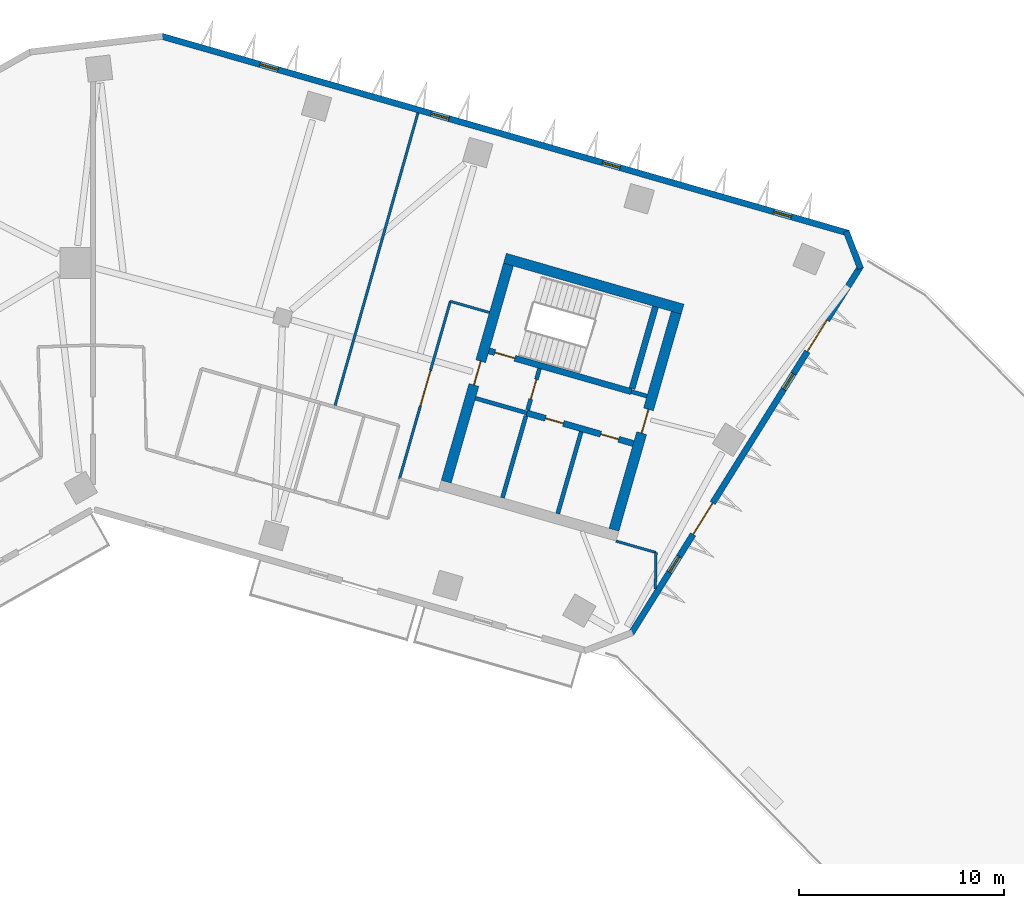
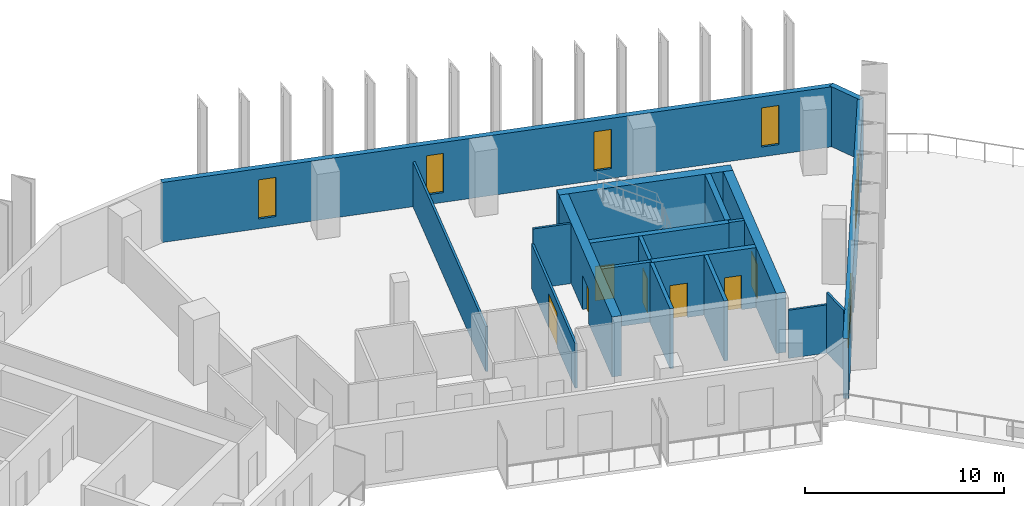
# One storey, part 6 of 12: 19 walls, 9 doors, 6 windows, 15 openings.
"""IFC4 building model written with IfcOpenShell, lengths in metres."""

from ifc_helpers import new_model, si_unit, direction, frame, frame_2d, origin, place, context, subcontext, project, spatial, rectangle, extrude, material, layer, layer_set, type_object, element, fill, save


model = new_model("IFC4")

# Units and contexts
model_context = context("Model", 3, precision=1e-05, world=origin(), true_north=direction((0.0, 1.0)))
body_context = subcontext(model_context, "Body", "Model", "MODEL_VIEW")
ifc_project = project(units=[si_unit("LENGTHUNIT", "METRE"), si_unit("AREAUNIT", "SQUARE_METRE"), si_unit("VOLUMEUNIT", "CUBIC_METRE"), si_unit("PLANEANGLEUNIT", "RADIAN"), si_unit("MASSUNIT", "GRAM", prefix="KILO")], contexts=[model_context])

# Site, building, storey
site_placement = place(None, origin())
site = spatial("IfcSite", under=ifc_project, at=site_placement, CompositionType="ELEMENT")
building_placement = place(site_placement, origin())
building = spatial("IfcBuilding", under=site, at=building_placement, Name="Binnacle Exchange Tower", CompositionType="ELEMENT")
storey_placement = place(building_placement, frame((0.0, 0.0, 154.89990234375)))
storey = spatial("IfcBuildingStorey", under=building, at=storey_placement, Name="L32", CompositionType="ELEMENT", Elevation=154.89990234375)

# Wall
ifc_material_1 = material(Name="Gypsum partition fire rated")
ifc_layer_1 = layer(ifc_material_1, 0.199951171875)
ifc_layer_set_1 = layer_set([ifc_layer_1], Name="Core partition 200")
wall_type_1 = type_object("IfcWallType", Name="Core partition 200", PredefinedType="PARTITIONING", material=ifc_layer_set_1)
wall_1_placement = place(storey_placement, frame((22.63720703125, 47.787353515625, 0.0), z_axis=(0.0, 0.0, 1.0), x_axis=(0.275614546295, 0.961268236171, 0.0)))
element("IfcWall", 1, at=wall_1_placement, inside=storey, type_object=wall_type_1, Name="Core wall CRWD10", PredefinedType="PARTITIONING", context=body_context, shape_type="SweptSolid", body=[
    extrude(rectangle(XDim=4.14990234375, YDim=0.199951171875, at=frame_2d((2.074951171875, 0.0))), origin(), (0.0, 0.0, 1.0), 3.68017578125),
])

# Wall, openings, doors
ifc_material_2 = material(Name="Concrete C70/85", Category="concrete")
ifc_layer_2 = layer(ifc_material_2, 0.300048828125)
ifc_layer_set_2 = layer_set([ifc_layer_2], Name="Core wall - front 300")
wall_type_2 = type_object("IfcWallType", Name="Core wall - front 300", PredefinedType="SOLIDWALL", material=ifc_layer_set_2)
wall_2_placement = place(storey_placement, frame((21.130859375, 52.6923828125, 0.0), z_axis=(0.0, 0.0, 1.0), x_axis=(0.961271043721, -0.27560475414, 0.0)))
wall_2 = element("IfcWall", 2, at=wall_2_placement, inside=storey, type_object=wall_type_2, Name="Core wall CRWD3", PredefinedType="SOLIDWALL", context=body_context, shape_type="SweptSolid", body=[
    extrude(rectangle(XDim=5.400146484375, YDim=0.300048828125, at=frame_2d((2.7001953125, 0.0))), origin(), (0.0, 0.0, 1.0), 3.68017578125),
])
opening_1_placement = place(wall_2_placement, frame((0.949951171875, 0.0, 0.0)))
opening_1 = element("IfcOpeningElement", 3, at=opening_1_placement, cuts=wall_2, Name="Opening DD10", PredefinedType="OPENING", context=body_context, shape_type="SweptSolid", body=[
    extrude(rectangle(XDim=0.89990234375, YDim=2.10009765625, at=frame_2d((0.449951171875, 1.050048828125))), frame((0.0, 0.159912109375, 0.0), z_axis=(0.0, -1.0, 0.0), x_axis=(1.0, 0.0, 0.0)), (0.0, 0.0, 1.0), 0.320068359375),
])
opening_2_placement = place(wall_2_placement, frame((3.75, 0.0, 0.0)))
opening_2 = element("IfcOpeningElement", 4, at=opening_2_placement, cuts=wall_2, Name="Opening DD11", PredefinedType="OPENING", context=body_context, shape_type="SweptSolid", body=[
    extrude(rectangle(XDim=0.89990234375, YDim=2.10009765625, at=frame_2d((0.449951171875, 1.050048828125))), frame((0.0, 0.159912109375, 0.0), z_axis=(0.0, -1.0, 0.0), x_axis=(1.0, 0.0, 0.0)), (0.0, 0.0, 1.0), 0.320068359375),
])
ifc_material_3 = material(Name="Steel door leaf", Category="steel")
door_type_1 = type_object("IfcDoorType", Name="Fire door 900", OperationType="NOTDEFINED", PredefinedType="DOOR", material=ifc_material_3)
door_1_placement = place(opening_1_placement, frame((0.89990234375, 0.0, 0.0), z_axis=(0.0, 0.0, 1.0), x_axis=(-1.0, 0.0, 0.0)))
door_1 = element("IfcDoor", 5, at=door_1_placement, inside=storey, type_object=door_type_1, Name="Core room door COMMS RISER ROOM", OperationType="SINGLE_SWING_RIGHT", OverallHeight=2.10009765625, OverallWidth=0.89990234375, PredefinedType="DOOR", context=body_context, shape_type="SweptSolid", body=[
    extrude(rectangle(XDim=0.89990234375, YDim=2.10009765625, at=frame_2d((0.449951171875, 1.050048828125))), frame((0.0, 0.02490234375, 0.0), z_axis=(0.0, -1.0, 0.0), x_axis=(1.0, 0.0, 0.0)), (0.0, 0.0, 1.0), 0.050048828125),
])
fill(opening_1, door_1)
door_2_placement = place(opening_2_placement, frame((0.89990234375, 0.0, 0.0), z_axis=(0.0, 0.0, 1.0), x_axis=(-1.0, 0.0, 0.0)))
door_2 = element("IfcDoor", 6, at=door_2_placement, inside=storey, type_object=door_type_1, Name="Core room door CLEANERS STORE", OperationType="SINGLE_SWING_LEFT", OverallHeight=2.10009765625, OverallWidth=0.89990234375, PredefinedType="DOOR", context=body_context, shape_type="SweptSolid", body=[
    extrude(rectangle(XDim=0.89990234375, YDim=2.10009765625, at=frame_2d((0.449951171875, 1.050048828125))), frame((0.0, 0.02490234375, 0.0), z_axis=(0.0, -1.0, 0.0), x_axis=(1.0, 0.0, 0.0)), (0.0, 0.0, 1.0), 0.050048828125),
])
fill(opening_2, door_2)

# Wall
ifc_layer_3 = layer(ifc_material_2, 0.5)
ifc_layer_set_3 = layer_set([ifc_layer_3], Name="Core wall - outer 500")
wall_type_3 = type_object("IfcWallType", Name="Core wall - outer 500", PredefinedType="SOLIDWALL", material=ifc_layer_set_3)
wall_3_placement = place(storey_placement, frame((20.066650390625, 60.227783203125, 0.0), z_axis=(0.0, 0.0, 1.0), x_axis=(0.96126248289, -0.275634611374, 0.0)))
element("IfcWall", 7, at=wall_3_placement, inside=storey, type_object=wall_type_3, Name="Core wall CRWD6", PredefinedType="SOLIDWALL", context=body_context, shape_type="SweptSolid", body=[
    extrude(rectangle(XDim=9.0, YDim=0.5, at=frame_2d((4.5, 0.0))), origin(), (0.0, 0.0, 1.0), 3.68017578125),
])

# Wall, opening, door
wall_4_placement = place(storey_placement, frame((17.2060546875, 49.344482421875, 0.0), z_axis=(0.0, 0.0, 1.0), x_axis=(0.275632651182, 0.961263044958, 0.0)))
wall_4 = element("IfcWall", 8, at=wall_4_placement, inside=storey, type_object=wall_type_3, Name="Core wall CRWD7", PredefinedType="SOLIDWALL", context=body_context, shape_type="SweptSolid", body=[
    extrude(rectangle(XDim=11.0, YDim=0.5, at=frame_2d((5.5, 0.0))), origin(), (0.0, 0.0, 1.0), 3.68017578125),
])
opening_3_placement = place(wall_4_placement, frame((4.89990234375, 0.0, 0.0)))
opening_3 = element("IfcOpeningElement", 9, at=opening_3_placement, cuts=wall_4, Name="Opening DD5", PredefinedType="OPENING", context=body_context, shape_type="SweptSolid", body=[
    extrude(rectangle(XDim=1.199951171875, YDim=2.10009765625, at=frame_2d((0.60009765625, 1.050048828125))), frame((0.0, 0.260009765625, 0.0), z_axis=(0.0, -1.0, 0.0), x_axis=(1.0, 0.0, 0.0)), (0.0, 0.0, 1.0), 0.52001953125),
])
door_type_2 = type_object("IfcDoorType", Name="Fire door 1200", OperationType="NOTDEFINED", PredefinedType="DOOR", material=ifc_material_3)
door_3_placement = place(opening_3_placement, origin())
door_3 = element("IfcDoor", 10, at=door_3_placement, inside=storey, type_object=door_type_2, Name="Vestibule exit door VEST-W", OperationType="SINGLE_SWING_LEFT", OverallHeight=2.10009765625, OverallWidth=1.199951171875, PredefinedType="DOOR", context=body_context, shape_type="SweptSolid", body=[
    extrude(rectangle(XDim=1.199951171875, YDim=2.10009765625, at=frame_2d((0.60009765625, 1.050048828125))), frame((0.0, 0.02490234375, 0.0), z_axis=(0.0, -1.0, 0.0), x_axis=(1.0, 0.0, 0.0)), (0.0, 0.0, 1.0), 0.050048828125),
])
fill(opening_3, door_3)

wall_5_placement = place(storey_placement, frame((25.376708984375, 47.001708984375, 0.0), z_axis=(0.0, 0.0, 1.0), x_axis=(0.275632651182, 0.961263044958, 0.0)))
wall_5 = element("IfcWall", 11, at=wall_5_placement, inside=storey, type_object=wall_type_3, Name="Core wall CRWD12", PredefinedType="SOLIDWALL", context=body_context, shape_type="SweptSolid", body=[
    extrude(rectangle(XDim=11.0, YDim=0.5, at=frame_2d((5.5, 0.0))), origin(), (0.0, 0.0, 1.0), 3.68017578125),
])
opening_4_placement = place(wall_5_placement, frame((4.89990234375, 0.0, 0.0)))
opening_4 = element("IfcOpeningElement", 12, at=opening_4_placement, cuts=wall_5, Name="Opening DD6", PredefinedType="OPENING", context=body_context, shape_type="SweptSolid", body=[
    extrude(rectangle(XDim=1.199951171875, YDim=2.10009765625, at=frame_2d((0.60009765625, 1.050048828125))), frame((0.0, 0.260009765625, 0.0), z_axis=(0.0, -1.0, 0.0), x_axis=(1.0, 0.0, 0.0)), (0.0, 0.0, 1.0), 0.52001953125),
])
door_4_placement = place(opening_4_placement, frame((1.199951171875, 0.0, 0.0), z_axis=(0.0, 0.0, 1.0), x_axis=(-1.0, 0.0, 0.0)))
door_4 = element("IfcDoor", 13, at=door_4_placement, inside=storey, type_object=door_type_2, Name="Core passage exit door", OperationType="SINGLE_SWING_RIGHT", OverallHeight=2.10009765625, OverallWidth=1.199951171875, PredefinedType="DOOR", context=body_context, shape_type="SweptSolid", body=[
    extrude(rectangle(XDim=1.199951171875, YDim=2.10009765625, at=frame_2d((0.60009765625, 1.050048828125))), frame((0.0, 0.02490234375, 0.0), z_axis=(0.0, -1.0, 0.0), x_axis=(1.0, 0.0, 0.0)), (0.0, 0.0, 1.0), 0.050048828125),
])
fill(opening_4, door_4)

ifc_layer_4 = layer(ifc_material_2, 0.300048828125)
ifc_layer_set_4 = layer_set([ifc_layer_4], Name="Core wall - stair 300")
wall_type_4 = type_object("IfcWallType", Name="Core wall - stair 300", PredefinedType="SOLIDWALL", material=ifc_layer_set_4)
wall_6_placement = place(storey_placement, frame((19.293212890625, 55.71630859375, 0.0), z_axis=(0.0, 0.0, 1.0), x_axis=(0.96125862491, -0.275648065539, 0.0)))
wall_6 = element("IfcWall", 14, at=wall_6_placement, inside=storey, type_object=wall_type_4, Name="Core wall CRWD4", PredefinedType="SOLIDWALL", context=body_context, shape_type="SweptSolid", body=[
    extrude(rectangle(XDim=7.199951171875, YDim=0.300048828125, at=frame_2d((3.60009765625, 0.0))), origin(), (0.0, 0.0, 1.0), 3.68017578125),
])
opening_5_placement = place(wall_6_placement, frame((0.300048828125, 0.0, 0.0)))
opening_5 = element("IfcOpeningElement", 15, at=opening_5_placement, cuts=wall_6, Name="Opening DD1", PredefinedType="OPENING", context=body_context, shape_type="SweptSolid", body=[
    extrude(rectangle(XDim=1.0, YDim=2.10009765625, at=frame_2d((0.5, 1.050048828125))), frame((0.0, 0.159912109375, 0.0), z_axis=(0.0, -1.0, 0.0), x_axis=(1.0, 0.0, 0.0)), (0.0, 0.0, 1.0), 0.320068359375),
])
door_type_3 = type_object("IfcDoorType", Name="Fire door 1000", OperationType="NOTDEFINED", PredefinedType="DOOR", material=ifc_material_3)
door_5_placement = place(opening_5_placement, origin())
door_5 = element("IfcDoor", 16, at=door_5_placement, inside=storey, type_object=door_type_3, Name="Stair door ST-D1", OperationType="SINGLE_SWING_LEFT", OverallHeight=2.10009765625, OverallWidth=1.0, PredefinedType="DOOR", context=body_context, shape_type="SweptSolid", body=[
    extrude(rectangle(XDim=1.0, YDim=2.10009765625, at=frame_2d((0.5, 1.050048828125))), frame((0.0, 0.02490234375, 0.0), z_axis=(0.0, -1.0, 0.0), x_axis=(1.0, 0.0, 0.0)), (0.0, 0.0, 1.0), 0.050048828125),
])
fill(opening_5, door_5)

# Wall
wall_7_placement = place(storey_placement, frame((26.255615234375, 53.875732421875, 0.0), z_axis=(0.0, 0.0, 1.0), x_axis=(0.275614546295, 0.961268236171, 0.0)))
element("IfcWall", 17, at=wall_7_placement, inside=storey, type_object=wall_type_4, Name="Core wall CRWD11", PredefinedType="SOLIDWALL", context=body_context, shape_type="SweptSolid", body=[
    extrude(rectangle(XDim=4.14990234375, YDim=0.300048828125, at=frame_2d((2.074951171875, 0.0))), origin(), (0.0, 0.0, 1.0), 3.68017578125),
])

# Wall, openings, doors, windows
ifc_material_4 = material(Name="Bronze aluminium cladding", Category="aluminium")
ifc_layer_5 = layer(ifc_material_4, 0.300048828125)
ifc_layer_set_5 = layer_set([ifc_layer_5], Name="External wall - spandrel 300")
wall_type_5 = type_object("IfcWallType", Name="External wall - spandrel 300", PredefinedType="STANDARD", material=ifc_layer_set_5)
wall_8_placement = place(storey_placement, frame((37.39892578125, 59.850830078125, 0.0), z_axis=(0.0, 0.0, 1.0), x_axis=(-0.529919986982, -0.848047644532, 0.0)))
wall_8 = element("IfcWall", 18, at=wall_8_placement, inside=storey, type_object=wall_type_5, Name="External wall EW-G04 L32", PredefinedType="STANDARD", context=body_context, shape_type="SweptSolid", body=[
    extrude(rectangle(XDim=21.125, YDim=0.300048828125, at=frame_2d((10.5625, 0.0))), origin(), (0.0, 0.0, 1.0), 3.68017578125),
])
opening_6_placement = place(wall_8_placement, frame((16.687255859375, 0.0, 0.60009765625)))
opening_6 = element("IfcOpeningElement", 19, at=opening_6_placement, cuts=wall_8, Name="Opening WS3", PredefinedType="OPENING", context=body_context, shape_type="SweptSolid", body=[
    extrude(rectangle(XDim=0.89990234375, YDim=2.39990234375, at=frame_2d((0.449951171875, 1.199951171875))), frame((0.0, 0.159912109375, 0.0), z_axis=(0.0, -1.0, 0.0), x_axis=(1.0, 0.0, 0.0)), (0.0, 0.0, 1.0), 0.320068359375),
])
opening_7_placement = place(wall_8_placement, frame((13.6123046875, 0.0, 0.0)))
opening_7 = element("IfcOpeningElement", 20, at=opening_7_placement, cuts=wall_8, Name="Opening D-FS10-08", PredefinedType="OPENING", context=body_context, shape_type="SweptSolid", body=[
    extrude(rectangle(XDim=1.800048828125, YDim=2.39990234375, at=frame_2d((0.89990234375, 1.199951171875))), frame((0.0, 0.159912109375, 0.0), z_axis=(0.0, -1.0, 0.0), x_axis=(1.0, 0.0, 0.0)), (0.0, 0.0, 1.0), 0.320068359375),
])
opening_8_placement = place(wall_8_placement, frame((6.187255859375, 0.0, 0.60009765625)))
opening_8 = element("IfcOpeningElement", 21, at=opening_8_placement, cuts=wall_8, Name="Opening WS3", PredefinedType="OPENING", context=body_context, shape_type="SweptSolid", body=[
    extrude(rectangle(XDim=0.89990234375, YDim=2.39990234375, at=frame_2d((0.449951171875, 1.199951171875))), frame((0.0, 0.159912109375, 0.0), z_axis=(0.0, -1.0, 0.0), x_axis=(1.0, 0.0, 0.0)), (0.0, 0.0, 1.0), 0.320068359375),
])
opening_9_placement = place(wall_8_placement, frame((3.1123046875, 0.0, 0.0)))
opening_9 = element("IfcOpeningElement", 22, at=opening_9_placement, cuts=wall_8, Name="Opening D-FS10-09", PredefinedType="OPENING", context=body_context, shape_type="SweptSolid", body=[
    extrude(rectangle(XDim=1.800048828125, YDim=2.39990234375, at=frame_2d((0.89990234375, 1.199951171875))), frame((0.0, 0.159912109375, 0.0), z_axis=(0.0, -1.0, 0.0), x_axis=(1.0, 0.0, 0.0)), (0.0, 0.0, 1.0), 0.320068359375),
])
ifc_material_5 = material(Name="Bronze anodised aluminium frame", Category="aluminium")
door_type_4 = type_object("IfcDoorType", Name="DT DOOR 1800x2400", OperationType="DOUBLE_DOOR_SINGLE_SWING", PredefinedType="DOOR", material=ifc_material_5)
door_6_placement = place(opening_7_placement, origin())
door_6 = element("IfcDoor", 23, at=door_6_placement, inside=storey, type_object=door_type_4, Name="Door D-FS10-08 L32", OperationType="DOUBLE_DOOR_SINGLE_SWING", OverallHeight=2.39990234375, OverallWidth=1.800048828125, PredefinedType="DOOR", context=body_context, shape_type="SweptSolid", body=[
    extrude(rectangle(XDim=1.800048828125, YDim=2.39990234375, at=frame_2d((0.89990234375, 1.199951171875))), frame((0.0, 0.02490234375, 0.0), z_axis=(0.0, -1.0, 0.0), x_axis=(1.0, 0.0, 0.0)), (0.0, 0.0, 1.0), 0.050048828125),
])
fill(opening_7, door_6)
door_7_placement = place(opening_9_placement, origin())
door_7 = element("IfcDoor", 24, at=door_7_placement, inside=storey, type_object=door_type_4, Name="Door D-FS10-09 L32", OperationType="DOUBLE_DOOR_SINGLE_SWING", OverallHeight=2.39990234375, OverallWidth=1.800048828125, PredefinedType="DOOR", context=body_context, shape_type="SweptSolid", body=[
    extrude(rectangle(XDim=1.800048828125, YDim=2.39990234375, at=frame_2d((0.89990234375, 1.199951171875))), frame((0.0, 0.02490234375, 0.0), z_axis=(0.0, -1.0, 0.0), x_axis=(1.0, 0.0, 0.0)), (0.0, 0.0, 1.0), 0.050048828125),
])
fill(opening_9, door_7)
window_type = type_object("IfcWindowType", Name="WS3 WINDOW 900x2400", PartitioningType="SINGLE_PANEL", PredefinedType="WINDOW", material=ifc_material_5)
window_1_placement = place(opening_6_placement, origin())
window_1 = element("IfcWindow", 25, at=window_1_placement, inside=storey, type_object=window_type, Name="Window WS3 L32", OverallHeight=2.39990234375, OverallWidth=0.89990234375, PartitioningType="SINGLE_PANEL", PredefinedType="WINDOW", context=body_context, shape_type="SweptSolid", body=[
    extrude(rectangle(XDim=0.89990234375, YDim=2.39990234375, at=frame_2d((0.449951171875, 1.199951171875))), frame((0.0, 0.030029296875, 0.0), z_axis=(0.0, -1.0, 0.0), x_axis=(1.0, 0.0, 0.0)), (0.0, 0.0, 1.0), 0.06005859375),
])
fill(opening_6, window_1)
window_2_placement = place(opening_8_placement, origin())
window_2 = element("IfcWindow", 26, at=window_2_placement, inside=storey, type_object=window_type, Name="Window WS3 L32", OverallHeight=2.39990234375, OverallWidth=0.89990234375, PartitioningType="SINGLE_PANEL", PredefinedType="WINDOW", context=body_context, shape_type="SweptSolid", body=[
    extrude(rectangle(XDim=0.89990234375, YDim=2.39990234375, at=frame_2d((0.449951171875, 1.199951171875))), frame((0.0, 0.030029296875, 0.0), z_axis=(0.0, -1.0, 0.0), x_axis=(1.0, 0.0, 0.0)), (0.0, 0.0, 1.0), 0.06005859375),
])
fill(opening_8, window_2)

# Wall
wall_9_placement = place(storey_placement, frame((36.685546875, 61.542724609375, 0.0), z_axis=(0.0, 0.0, 1.0), x_axis=(0.358284408222, -0.933612490718, 0.0)))
element("IfcWall", 27, at=wall_9_placement, inside=storey, type_object=wall_type_5, Name="External wall EW-G05 L32", PredefinedType="STANDARD", context=body_context, shape_type="SweptSolid", body=[
    extrude(rectangle(XDim=1.955078125, YDim=0.300048828125, at=frame_2d((0.9775390625, 0.0))), origin(), (0.0, 0.0, 1.0), 3.68017578125),
])

# Wall, openings, windows
wall_10_placement = place(storey_placement, frame((3.33544921875, 71.043701171875, 0.0), z_axis=(0.0, 0.0, 1.0), x_axis=(0.961261395375, -0.275638404002, 0.0)))
wall_10 = element("IfcWall", 28, at=wall_10_placement, inside=storey, type_object=wall_type_5, Name="External wall EW-G06 L32", PredefinedType="STANDARD", context=body_context, shape_type="SweptSolid", body=[
    extrude(rectangle(XDim=34.796630859375, YDim=0.300048828125, at=frame_2d((17.3984375, 0.0))), origin(), (0.0, 0.0, 1.0), 3.68017578125),
])
opening_10_placement = place(wall_10_placement, frame((31.01953125, 0.0, 0.60009765625)))
opening_10 = element("IfcOpeningElement", 29, at=opening_10_placement, cuts=wall_10, Name="Opening WS3", PredefinedType="OPENING", context=body_context, shape_type="SweptSolid", body=[
    extrude(rectangle(XDim=0.89990234375, YDim=2.39990234375, at=frame_2d((0.449951171875, 1.199951171875))), frame((0.0, 0.159912109375, 0.0), z_axis=(0.0, -1.0, 0.0), x_axis=(1.0, 0.0, 0.0)), (0.0, 0.0, 1.0), 0.320068359375),
])
opening_11_placement = place(wall_10_placement, frame((22.3466796875, 0.0, 0.60009765625)))
opening_11 = element("IfcOpeningElement", 30, at=opening_11_placement, cuts=wall_10, Name="Opening WS3", PredefinedType="OPENING", context=body_context, shape_type="SweptSolid", body=[
    extrude(rectangle(XDim=0.89990234375, YDim=2.39990234375, at=frame_2d((0.449951171875, 1.199951171875))), frame((0.0, 0.159912109375, 0.0), z_axis=(0.0, -1.0, 0.0), x_axis=(1.0, 0.0, 0.0)), (0.0, 0.0, 1.0), 0.320068359375),
])
opening_12_placement = place(wall_10_placement, frame((13.673583984375, 0.0, 0.60009765625)))
opening_12 = element("IfcOpeningElement", 31, at=opening_12_placement, cuts=wall_10, Name="Opening WS3", PredefinedType="OPENING", context=body_context, shape_type="SweptSolid", body=[
    extrude(rectangle(XDim=0.89990234375, YDim=2.39990234375, at=frame_2d((0.449951171875, 1.199951171875))), frame((0.0, 0.159912109375, 0.0), z_axis=(0.0, -1.0, 0.0), x_axis=(1.0, 0.0, 0.0)), (0.0, 0.0, 1.0), 0.320068359375),
])
opening_13_placement = place(wall_10_placement, frame((5.000732421875, 0.0, 0.60009765625)))
opening_13 = element("IfcOpeningElement", 32, at=opening_13_placement, cuts=wall_10, Name="Opening WS3", PredefinedType="OPENING", context=body_context, shape_type="SweptSolid", body=[
    extrude(rectangle(XDim=0.89990234375, YDim=2.39990234375, at=frame_2d((0.449951171875, 1.199951171875))), frame((0.0, 0.159912109375, 0.0), z_axis=(0.0, -1.0, 0.0), x_axis=(1.0, 0.0, 0.0)), (0.0, 0.0, 1.0), 0.320068359375),
])
window_3_placement = place(opening_10_placement, origin())
window_3 = element("IfcWindow", 33, at=window_3_placement, inside=storey, type_object=window_type, Name="Window WS3 L32", OverallHeight=2.39990234375, OverallWidth=0.89990234375, PartitioningType="SINGLE_PANEL", PredefinedType="WINDOW", context=body_context, shape_type="SweptSolid", body=[
    extrude(rectangle(XDim=0.89990234375, YDim=2.39990234375, at=frame_2d((0.449951171875, 1.199951171875))), frame((0.0, 0.030029296875, 0.0), z_axis=(0.0, -1.0, 0.0), x_axis=(1.0, 0.0, 0.0)), (0.0, 0.0, 1.0), 0.06005859375),
])
fill(opening_10, window_3)
window_4_placement = place(opening_11_placement, origin())
window_4 = element("IfcWindow", 34, at=window_4_placement, inside=storey, type_object=window_type, Name="Window WS3 L32", OverallHeight=2.39990234375, OverallWidth=0.89990234375, PartitioningType="SINGLE_PANEL", PredefinedType="WINDOW", context=body_context, shape_type="SweptSolid", body=[
    extrude(rectangle(XDim=0.89990234375, YDim=2.39990234375, at=frame_2d((0.449951171875, 1.199951171875))), frame((0.0, 0.030029296875, 0.0), z_axis=(0.0, -1.0, 0.0), x_axis=(1.0, 0.0, 0.0)), (0.0, 0.0, 1.0), 0.06005859375),
])
fill(opening_11, window_4)
window_5_placement = place(opening_12_placement, origin())
window_5 = element("IfcWindow", 35, at=window_5_placement, inside=storey, type_object=window_type, Name="Window WS3 L32", OverallHeight=2.39990234375, OverallWidth=0.89990234375, PartitioningType="SINGLE_PANEL", PredefinedType="WINDOW", context=body_context, shape_type="SweptSolid", body=[
    extrude(rectangle(XDim=0.89990234375, YDim=2.39990234375, at=frame_2d((0.449951171875, 1.199951171875))), frame((0.0, 0.030029296875, 0.0), z_axis=(0.0, -1.0, 0.0), x_axis=(1.0, 0.0, 0.0)), (0.0, 0.0, 1.0), 0.06005859375),
])
fill(opening_12, window_5)
window_6_placement = place(opening_13_placement, origin())
window_6 = element("IfcWindow", 36, at=window_6_placement, inside=storey, type_object=window_type, Name="Window WS3 L32", OverallHeight=2.39990234375, OverallWidth=0.89990234375, PartitioningType="SINGLE_PANEL", PredefinedType="WINDOW", context=body_context, shape_type="SweptSolid", body=[
    extrude(rectangle(XDim=0.89990234375, YDim=2.39990234375, at=frame_2d((0.449951171875, 1.199951171875))), frame((0.0, 0.030029296875, 0.0), z_axis=(0.0, -1.0, 0.0), x_axis=(1.0, 0.0, 0.0)), (0.0, 0.0, 1.0), 0.06005859375),
])
fill(opening_13, window_6)

# Wall, opening, door
ifc_material_6 = material(Name="Masonry block wall", Category="masonry")
ifc_layer_6 = layer(ifc_material_6, 0.199951171875)
ifc_layer_set_6 = layer_set([ifc_layer_6], Name="Fire wall - vestibule 200")
wall_type_6 = type_object("IfcWallType", Name="Fire wall - vestibule 200", PredefinedType="PARTITIONING", material=ifc_layer_set_6)
wall_11_placement = place(storey_placement, frame((21.172119140625, 52.836669921875, 0.0), z_axis=(0.0, 0.0, 1.0), x_axis=(0.275657676022, 0.961255868981, 0.0)))
wall_11 = element("IfcWall", 37, at=wall_11_placement, inside=storey, type_object=wall_type_6, Name="Core wall CRWD9", PredefinedType="PARTITIONING", context=body_context, shape_type="SweptSolid", body=[
    extrude(rectangle(XDim=2.099853515625, YDim=0.199951171875, at=frame_2d((1.0498046875, 0.0))), origin(), (0.0, 0.0, 1.0), 3.68017578125),
])
opening_14_placement = place(wall_11_placement, frame((0.550048828125, 0.0, 0.0)))
opening_14 = element("IfcOpeningElement", 38, at=opening_14_placement, cuts=wall_11, Name="Opening DD3", PredefinedType="OPENING", context=body_context, shape_type="SweptSolid", body=[
    extrude(rectangle(XDim=1.0, YDim=2.10009765625, at=frame_2d((0.5, 1.050048828125))), frame((0.0, 0.10986328125, 0.0), z_axis=(0.0, -1.0, 0.0), x_axis=(1.0, 0.0, 0.0)), (0.0, 0.0, 1.0), 0.219970703125),
])
door_8_placement = place(opening_14_placement, origin())
door_8 = element("IfcDoor", 39, at=door_8_placement, inside=storey, type_object=door_type_3, Name="Vestibule door VEST-W", OperationType="SINGLE_SWING_RIGHT", OverallHeight=2.10009765625, OverallWidth=1.0, PredefinedType="DOOR", context=body_context, shape_type="SweptSolid", body=[
    extrude(rectangle(XDim=1.0, YDim=2.10009765625, at=frame_2d((0.5, 1.050048828125))), frame((0.0, 0.02490234375, 0.0), z_axis=(0.0, -1.0, 0.0), x_axis=(1.0, 0.0, 0.0)), (0.0, 0.0, 1.0), 0.050048828125),
])
fill(opening_14, door_8)

# Wall
ifc_material_7 = material(Name="Gypsum partition")
ifc_layer_7 = layer(ifc_material_7, 0.125)
ifc_layer_set_7 = layer_set([ifc_layer_7], Name="Partition 125")
wall_type_7 = type_object("IfcWallType", Name="Partition 125", PredefinedType="PARTITIONING", material=ifc_layer_set_7)
wall_12_placement = place(storey_placement, frame((11.77197265625, 52.98291015625, 0.0), z_axis=(0.0, 0.0, 1.0), x_axis=(0.272554241659, 0.96214041873, 0.0)))
element("IfcWall", 40, at=wall_12_placement, inside=storey, type_object=wall_type_7, Name="Partition W27", PredefinedType="PARTITIONING", context=body_context, shape_type="SweptSolid", body=[
    extrude(rectangle(XDim=14.885498046875, YDim=0.125, at=frame_2d((7.44287109375, 0.0))), origin(), (0.0, 0.0, 1.0), 2.748046875),
])

# Wall, opening, door
wall_13_placement = place(storey_placement, frame((14.927978515625, 49.47802734375, 0.0), z_axis=(0.0, 0.0, 1.0), x_axis=(0.275674053528, 0.961251172281, 0.0)))
wall_13 = element("IfcWall", 41, at=wall_13_placement, inside=storey, type_object=wall_type_7, Name="Partition W35", PredefinedType="PARTITIONING", context=body_context, shape_type="SweptSolid", body=[
    extrude(rectangle(XDim=8.99951171875, YDim=0.125, at=frame_2d((4.499755859375, 0.0))), origin(), (0.0, 0.0, 1.0), 2.748046875),
])
opening_15_placement = place(wall_13_placement, frame((3.699951171875, 0.0, 0.0)))
opening_15 = element("IfcOpeningElement", 42, at=opening_15_placement, cuts=wall_13, Name="Opening DL32-11", PredefinedType="OPENING", context=body_context, shape_type="SweptSolid", body=[
    extrude(rectangle(XDim=1.800048828125, YDim=2.10009765625, at=frame_2d((0.89990234375, 1.050048828125))), frame((0.0, 0.072509765625, 0.0), z_axis=(0.0, -1.0, 0.0), x_axis=(1.0, 0.0, 0.0)), (0.0, 0.0, 1.0), 0.14501953125),
])
ifc_material_8 = material(Name="Timber door leaf", Category="wood")
door_type_5 = type_object("IfcDoorType", Name="Double door 1800", OperationType="NOTDEFINED", PredefinedType="DOOR", material=ifc_material_8)
door_9_placement = place(opening_15_placement, origin())
door_9 = element("IfcDoor", 43, at=door_9_placement, inside=storey, type_object=door_type_5, Name="Door DL32-11", OperationType="DOUBLE_DOOR_SINGLE_SWING", OverallHeight=2.10009765625, OverallWidth=1.800048828125, PredefinedType="DOOR", context=body_context, shape_type="SweptSolid", body=[
    extrude(rectangle(XDim=1.800048828125, YDim=2.10009765625, at=frame_2d((0.89990234375, 1.050048828125))), frame((0.0, 0.02490234375, 0.0), z_axis=(0.0, -1.0, 0.0), x_axis=(1.0, 0.0, 0.0)), (0.0, 0.0, 1.0), 0.050048828125),
])
fill(opening_15, door_9)

# Walls
wall_14_placement = place(storey_placement, frame((17.408935546875, 58.12890625, 0.0), z_axis=(0.0, 0.0, 1.0), x_axis=(0.961253165474, -0.275667103345, 0.0)))
element("IfcWall", 44, at=wall_14_placement, inside=storey, type_object=wall_type_7, Name="Partition W36", PredefinedType="PARTITIONING", context=body_context, shape_type="SweptSolid", body=[
    extrude(rectangle(XDim=1.976806640625, YDim=0.125, at=frame_2d((0.98828125, 0.0))), origin(), (0.0, 0.0, 1.0), 3.68017578125),
])
wall_15_placement = place(storey_placement, frame((25.47900390625, 46.451904296875, 0.0), z_axis=(0.0, 0.0, 1.0), x_axis=(0.961245725795, -0.275693044238, 0.0)))
element("IfcWall", 45, at=wall_15_placement, inside=storey, type_object=wall_type_7, Name="Partition W37", PredefinedType="PARTITIONING", context=body_context, shape_type="SweptSolid", body=[
    extrude(rectangle(XDim=2.0234375, YDim=0.125, at=frame_2d((1.01171875, 0.0))), origin(), (0.0, 0.0, 1.0), 2.9521484375),
])
wall_16_placement = place(storey_placement, frame((27.39111328125, 44.116943359375, 0.0), z_axis=(0.0, 0.0, 1.0), x_axis=(0.018543314717, 0.999828057958, 0.0)))
element("IfcWall", 46, at=wall_16_placement, inside=storey, type_object=wall_type_7, Name="Partition W38", PredefinedType="PARTITIONING", context=body_context, shape_type="SweptSolid", body=[
    extrude(rectangle(XDim=1.77734375, YDim=0.125, at=frame_2d((0.888671875, 0.0))), origin(), (0.0, 0.0, 1.0), 3.68017578125),
])
ifc_layer_8 = layer(ifc_material_6, 0.199951171875)
ifc_layer_set_8 = layer_set([ifc_layer_8], Name="Riser wall 200")
wall_type_8 = type_object("IfcWallType", Name="Riser wall 200", PredefinedType="SOLIDWALL", material=ifc_layer_set_8)
wall_17_placement = place(storey_placement, frame((18.631591796875, 53.4091796875, 0.0), z_axis=(0.0, 0.0, 1.0), x_axis=(0.961247078216, -0.275688328772, 0.0)))
element("IfcWall", 47, at=wall_17_placement, inside=storey, type_object=wall_type_8, Name="Core wall CRWD2", PredefinedType="SOLIDWALL", context=body_context, shape_type="SweptSolid", body=[
    extrude(rectangle(XDim=2.60009765625, YDim=0.199951171875, at=frame_2d((1.300048828125, 0.0))), origin(), (0.0, 0.0, 1.0), 3.68017578125),
])
wall_18_placement = place(storey_placement, frame((26.214111328125, 53.731689453125, 0.0), z_axis=(0.0, 0.0, 1.0), x_axis=(0.961200870072, -0.275849392554, 0.0)))
element("IfcWall", 48, at=wall_18_placement, inside=storey, type_object=wall_type_8, Name="Core wall CRWD5", PredefinedType="SOLIDWALL", context=body_context, shape_type="SweptSolid", body=[
    extrude(rectangle(XDim=0.800048828125, YDim=0.199951171875, at=frame_2d((0.39990234375, 0.0))), origin(), (0.0, 0.0, 1.0), 3.68017578125),
])
wall_19_placement = place(storey_placement, frame((19.945556640625, 48.55908203125, 0.0), z_axis=(0.0, 0.0, 1.0), x_axis=(0.275668905258, 0.961252648721, 0.0)))
element("IfcWall", 49, at=wall_19_placement, inside=storey, type_object=wall_type_8, Name="Core wall CRWD8", PredefinedType="SOLIDWALL", context=body_context, shape_type="SweptSolid", body=[
    extrude(rectangle(XDim=4.150146484375, YDim=0.199951171875, at=frame_2d((2.0751953125, 0.0))), origin(), (0.0, 0.0, 1.0), 3.68017578125),
])

save(model, "model.ifc")
